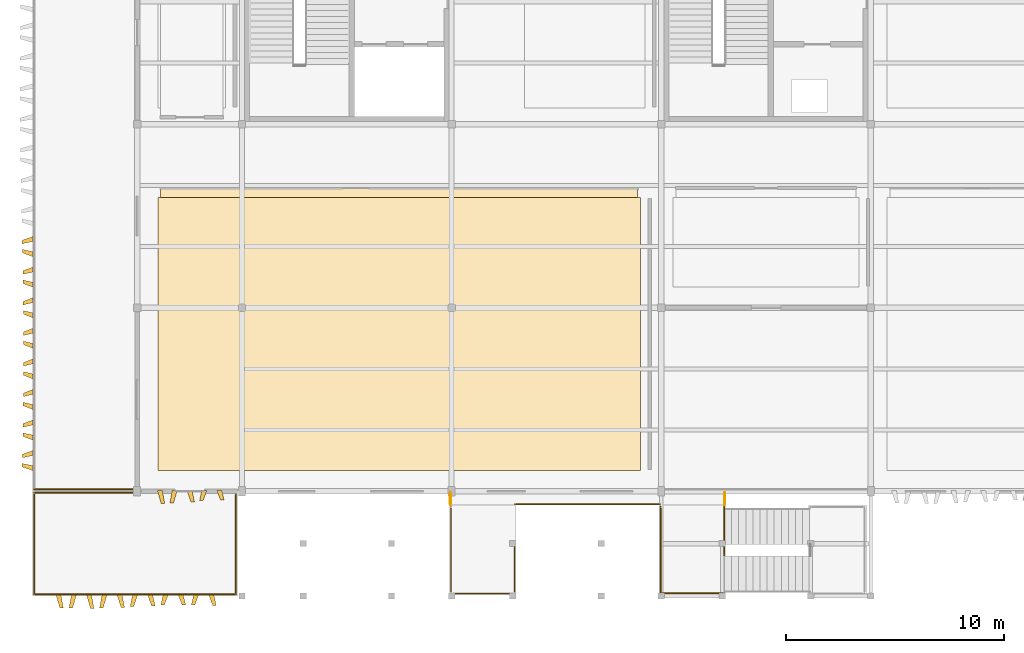
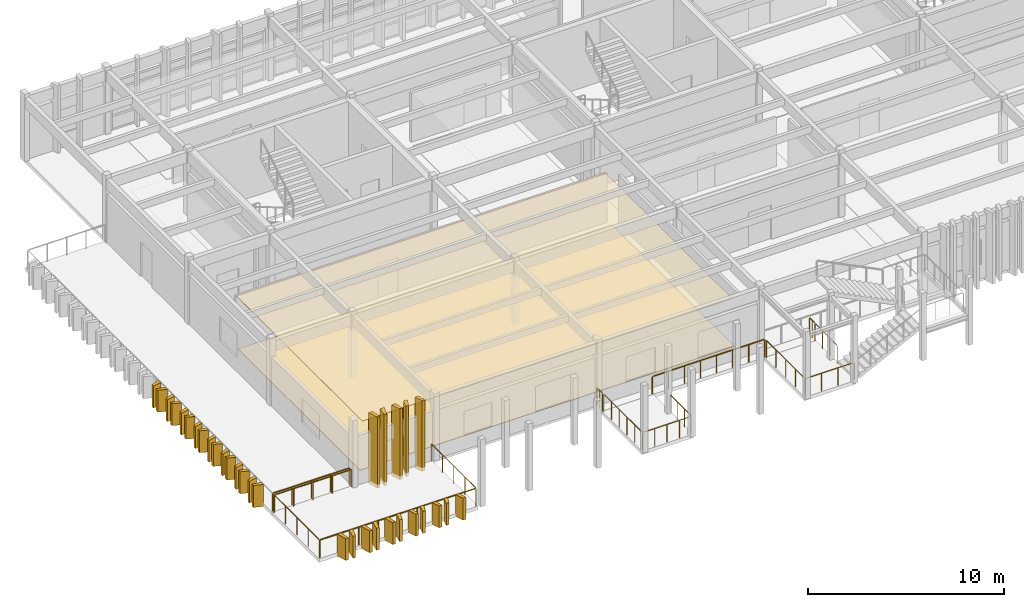
# One storey, part 11 of 14: 34 coverings, 11 railings.
"""IFC4 building model written with IfcOpenShell, lengths in metres."""

from ifc_helpers import new_model, si_unit, direction, frame, origin, origin_2d, place, context, subcontext, project, spatial, polyline, circle, outline, extrude, material, layer, layer_set, type_object, element, save


model = new_model("IFC4")

# Units and contexts
model_context = context("Model", 3, precision=1e-05, world=origin(), true_north=direction((0.0, 1.0)))
body_context = subcontext(model_context, "Body", "Model", "MODEL_VIEW")
ifc_project = project(units=[si_unit("LENGTHUNIT", "METRE"), si_unit("AREAUNIT", "SQUARE_METRE"), si_unit("VOLUMEUNIT", "CUBIC_METRE"), si_unit("PLANEANGLEUNIT", "RADIAN"), si_unit("MASSUNIT", "GRAM", prefix="KILO")], contexts=[model_context])

# Site, building, storey
site_placement = place(None, origin())
site = spatial("IfcSite", under=ifc_project, at=site_placement, CompositionType="ELEMENT")
building_placement = place(site_placement, origin())
building = spatial("IfcBuilding", under=site, at=building_placement, Name="Kolvemor Railside Polytechnic", CompositionType="ELEMENT")
storey_placement = place(building_placement, frame((0.0, 0.0, 22.800048828125)))
storey = spatial("IfcBuildingStorey", under=building, at=storey_placement, Name="L05", CompositionType="ELEMENT", Elevation=22.800048828125)

# Coverings
ifc_material_1 = material(Name="Perforated acoustic mineral-fibre and timber-slat ceiling", Category="wood")
ifc_layer_1 = layer(ifc_material_1, 0.034912109375, Name="COV-CEIL-3")
ifc_layer_set_1 = layer_set([ifc_layer_1], Name="Perforated acoustic mineral-fibre and timber-slat ceiling")
covering_type_1 = type_object("IfcCoveringType", Name="COV-CEIL-3", PredefinedType="CEILING", material=ifc_layer_set_1)
covering_1_placement = place(storey_placement, frame((0.0, 0.0, 3.014892578125)))
element("IfcCovering", 1, at=covering_1_placement, inside=storey, type_object=covering_type_1, Name="Senior Honours West Design Studio Acoustic Ceiling", PredefinedType="CEILING", context=body_context, shape_type="SweptSolid", body=[
    extrude(outline(polyline([(63.47998046875, 5.75), (85.320068359375, 5.75), (85.320068359375, 18.679931640625), (63.47998046875, 18.679931640625), (63.47998046875, 5.75)])), origin(), (0.0, 0.0, 1.0), 0.03515625),
])
ifc_material_2 = material(Name="Champagne-bronze PVDF-anodised marine aluminium 5052-H32", Category="aluminium")
ifc_layer_2 = layer(ifc_material_2, 0.179931640625, Name="COV-FIN-CHAMP")
ifc_layer_set_2 = layer_set([ifc_layer_2], Name="Champagne-bronze PVDF-anodised marine aluminium 5052-H32")
covering_type_2 = type_object("IfcCoveringType", Name="COV-FIN-CHAMP", PredefinedType="CLADDING", material=ifc_layer_set_2)
covering_2_placement = place(storey_placement, frame((0.0, 0.0, -0.22998046875)))
element("IfcCovering", 2, at=covering_2_placement, inside=storey, type_object=covering_type_2, Name="Pleated Solar Fin L05-0416", PredefinedType="CLADDING", context=body_context, shape_type="SweptSolid", body=[
    extrude(outline(polyline([(63.324951171875, 4.8349609375), (63.554931640625, 4.8349609375), (63.659912109375, 4.237060546875), (63.5, 4.237060546875), (63.324951171875, 4.8349609375)])), origin(), (0.0, 0.0, 1.0), 4.429931640625),
])
covering_3_placement = place(storey_placement, frame((0.0, 0.0, -0.22998046875)))
element("IfcCovering", 3, at=covering_3_placement, inside=storey, type_object=covering_type_2, Name="Pleated Solar Fin L05-0417", PredefinedType="CLADDING", context=body_context, shape_type="SweptSolid", body=[
    extrude(outline(polyline([(64.0048828125, 4.8349609375), (64.235107421875, 4.8349609375), (64.06005859375, 4.2529296875), (63.89990234375, 4.2529296875), (64.0048828125, 4.8349609375)])), origin(), (0.0, 0.0, 1.0), 4.429931640625),
])
covering_4_placement = place(storey_placement, frame((0.0, 0.0, -0.22998046875)))
element("IfcCovering", 4, at=covering_4_placement, inside=storey, type_object=covering_type_2, Name="Pleated Solar Fin L05-0418", PredefinedType="CLADDING", context=body_context, shape_type="SweptSolid", body=[
    extrude(outline(polyline([(64.68505859375, 4.8349609375), (64.9150390625, 4.8349609375), (65.02001953125, 4.31494140625), (64.860107421875, 4.31494140625), (64.68505859375, 4.8349609375)])), origin(), (0.0, 0.0, 1.0), 4.429931640625),
])
covering_5_placement = place(storey_placement, frame((0.0, 0.0, -0.22998046875)))
element("IfcCovering", 5, at=covering_5_placement, inside=storey, type_object=covering_type_2, Name="Pleated Solar Fin L05-0419", PredefinedType="CLADDING", context=body_context, shape_type="SweptSolid", body=[
    extrude(outline(polyline([(65.364990234375, 4.8349609375), (65.594970703125, 4.8349609375), (65.419921875, 4.376953125), (65.260009765625, 4.376953125), (65.364990234375, 4.8349609375)])), origin(), (0.0, 0.0, 1.0), 4.429931640625),
])
covering_6_placement = place(storey_placement, frame((0.0, 0.0, -0.22998046875)))
element("IfcCovering", 6, at=covering_6_placement, inside=storey, type_object=covering_type_2, Name="Pleated Solar Fin L05-0420", PredefinedType="CLADDING", context=body_context, shape_type="SweptSolid", body=[
    extrude(outline(polyline([(66.044921875, 4.8349609375), (66.27490234375, 4.8349609375), (66.3798828125, 4.39306640625), (66.219970703125, 4.39306640625), (66.044921875, 4.8349609375)])), origin(), (0.0, 0.0, 1.0), 4.429931640625),
])
covering_7_placement = place(storey_placement, frame((0.0, 0.0, -0.219970703125)))
element("IfcCovering", 7, at=covering_7_placement, inside=storey, type_object=covering_type_2, Name="Pleated Solar Fin L05-0898", PredefinedType="CLADDING", context=body_context, shape_type="SweptSolid", body=[
    extrude(outline(polyline([(57.635009765625, 16.465087890625), (57.635009765625, 16.235107421875), (57.135986328125, 16.1298828125), (57.135986328125, 16.2900390625), (57.635009765625, 16.465087890625)])), origin(), (0.0, 0.0, 1.0), 1.369873046875),
])
covering_8_placement = place(storey_placement, frame((0.0, 0.0, -0.219970703125)))
element("IfcCovering", 8, at=covering_8_placement, inside=storey, type_object=covering_type_2, Name="Pleated Solar Fin L05-0899", PredefinedType="CLADDING", context=body_context, shape_type="SweptSolid", body=[
    extrude(outline(polyline([(57.635009765625, 15.764892578125), (57.635009765625, 15.534912109375), (57.14892578125, 15.7099609375), (57.14892578125, 15.8701171875), (57.635009765625, 15.764892578125)])), origin(), (0.0, 0.0, 1.0), 1.369873046875),
])
covering_9_placement = place(storey_placement, frame((0.0, 0.0, -0.219970703125)))
element("IfcCovering", 9, at=covering_9_placement, inside=storey, type_object=covering_type_2, Name="Pleated Solar Fin L05-0900", PredefinedType="CLADDING", context=body_context, shape_type="SweptSolid", body=[
    extrude(outline(polyline([(57.635009765625, 15.06494140625), (57.635009765625, 14.8349609375), (57.160888671875, 14.72998046875), (57.160888671875, 14.889892578125), (57.635009765625, 15.06494140625)])), origin(), (0.0, 0.0, 1.0), 1.369873046875),
])
covering_10_placement = place(storey_placement, frame((0.0, 0.0, -0.219970703125)))
element("IfcCovering", 10, at=covering_10_placement, inside=storey, type_object=covering_type_2, Name="Pleated Solar Fin L05-0901", PredefinedType="CLADDING", context=body_context, shape_type="SweptSolid", body=[
    extrude(outline(polyline([(57.635009765625, 14.364990234375), (57.635009765625, 14.135009765625), (57.172119140625, 14.31005859375), (57.172119140625, 14.469970703125), (57.635009765625, 14.364990234375)])), origin(), (0.0, 0.0, 1.0), 1.369873046875),
])
covering_11_placement = place(storey_placement, frame((0.0, 0.0, -0.219970703125)))
element("IfcCovering", 11, at=covering_11_placement, inside=storey, type_object=covering_type_2, Name="Pleated Solar Fin L05-0902", PredefinedType="CLADDING", context=body_context, shape_type="SweptSolid", body=[
    extrude(outline(polyline([(57.635009765625, 13.6650390625), (57.635009765625, 13.43505859375), (57.180908203125, 13.330078125), (57.180908203125, 13.489990234375), (57.635009765625, 13.6650390625)])), origin(), (0.0, 0.0, 1.0), 1.369873046875),
])
covering_12_placement = place(storey_placement, frame((0.0, 0.0, -0.219970703125)))
element("IfcCovering", 12, at=covering_12_placement, inside=storey, type_object=covering_type_2, Name="Pleated Solar Fin L05-0903", PredefinedType="CLADDING", context=body_context, shape_type="SweptSolid", body=[
    extrude(outline(polyline([(57.635009765625, 12.965087890625), (57.635009765625, 12.735107421875), (57.18798828125, 12.909912109375), (57.18798828125, 13.070068359375), (57.635009765625, 12.965087890625)])), origin(), (0.0, 0.0, 1.0), 1.369873046875),
])
covering_13_placement = place(storey_placement, frame((0.0, 0.0, -0.219970703125)))
element("IfcCovering", 13, at=covering_13_placement, inside=storey, type_object=covering_type_2, Name="Pleated Solar Fin L05-0904", PredefinedType="CLADDING", context=body_context, shape_type="SweptSolid", body=[
    extrude(outline(polyline([(57.635009765625, 12.264892578125), (57.635009765625, 12.034912109375), (57.19189453125, 11.929931640625), (57.19189453125, 12.090087890625), (57.635009765625, 12.264892578125)])), origin(), (0.0, 0.0, 1.0), 1.369873046875),
])
covering_14_placement = place(storey_placement, frame((0.0, 0.0, -0.219970703125)))
element("IfcCovering", 14, at=covering_14_placement, inside=storey, type_object=covering_type_2, Name="Pleated Solar Fin L05-0905", PredefinedType="CLADDING", context=body_context, shape_type="SweptSolid", body=[
    extrude(outline(polyline([(57.635009765625, 11.56494140625), (57.635009765625, 11.3349609375), (57.195068359375, 11.510009765625), (57.195068359375, 11.669921875), (57.635009765625, 11.56494140625)])), origin(), (0.0, 0.0, 1.0), 1.369873046875),
])
covering_15_placement = place(storey_placement, frame((0.0, 0.0, -0.219970703125)))
element("IfcCovering", 15, at=covering_15_placement, inside=storey, type_object=covering_type_2, Name="Pleated Solar Fin L05-0906", PredefinedType="CLADDING", context=body_context, shape_type="SweptSolid", body=[
    extrude(outline(polyline([(57.635009765625, 10.864990234375), (57.635009765625, 10.635009765625), (57.195068359375, 10.530029296875), (57.195068359375, 10.68994140625), (57.635009765625, 10.864990234375)])), origin(), (0.0, 0.0, 1.0), 1.369873046875),
])
covering_16_placement = place(storey_placement, frame((0.0, 0.0, -0.219970703125)))
element("IfcCovering", 16, at=covering_16_placement, inside=storey, type_object=covering_type_2, Name="Pleated Solar Fin L05-0907", PredefinedType="CLADDING", context=body_context, shape_type="SweptSolid", body=[
    extrude(outline(polyline([(57.635009765625, 10.1650390625), (57.635009765625, 9.93505859375), (57.19189453125, 10.110107421875), (57.19189453125, 10.27001953125), (57.635009765625, 10.1650390625)])), origin(), (0.0, 0.0, 1.0), 1.369873046875),
])
covering_17_placement = place(storey_placement, frame((0.0, 0.0, -0.219970703125)))
element("IfcCovering", 17, at=covering_17_placement, inside=storey, type_object=covering_type_2, Name="Pleated Solar Fin L05-0908", PredefinedType="CLADDING", context=body_context, shape_type="SweptSolid", body=[
    extrude(outline(polyline([(57.635009765625, 9.465087890625), (57.635009765625, 9.235107421875), (57.18798828125, 9.1298828125), (57.18798828125, 9.2900390625), (57.635009765625, 9.465087890625)])), origin(), (0.0, 0.0, 1.0), 1.369873046875),
])
covering_18_placement = place(storey_placement, frame((0.0, 0.0, -0.219970703125)))
element("IfcCovering", 18, at=covering_18_placement, inside=storey, type_object=covering_type_2, Name="Pleated Solar Fin L05-0909", PredefinedType="CLADDING", context=body_context, shape_type="SweptSolid", body=[
    extrude(outline(polyline([(57.635009765625, 8.764892578125), (57.635009765625, 8.534912109375), (57.180908203125, 8.7099609375), (57.180908203125, 8.8701171875), (57.635009765625, 8.764892578125)])), origin(), (0.0, 0.0, 1.0), 1.369873046875),
])
covering_19_placement = place(storey_placement, frame((0.0, 0.0, -0.219970703125)))
element("IfcCovering", 19, at=covering_19_placement, inside=storey, type_object=covering_type_2, Name="Pleated Solar Fin L05-0910", PredefinedType="CLADDING", context=body_context, shape_type="SweptSolid", body=[
    extrude(outline(polyline([(57.635009765625, 8.06494140625), (57.635009765625, 7.8349609375), (57.172119140625, 7.72998046875), (57.172119140625, 7.889892578125), (57.635009765625, 8.06494140625)])), origin(), (0.0, 0.0, 1.0), 1.369873046875),
])
covering_20_placement = place(storey_placement, frame((0.0, 0.0, -0.219970703125)))
element("IfcCovering", 20, at=covering_20_placement, inside=storey, type_object=covering_type_2, Name="Pleated Solar Fin L05-0911", PredefinedType="CLADDING", context=body_context, shape_type="SweptSolid", body=[
    extrude(outline(polyline([(57.635009765625, 7.364990234375), (57.635009765625, 7.135009765625), (57.160888671875, 7.31005859375), (57.160888671875, 7.469970703125), (57.635009765625, 7.364990234375)])), origin(), (0.0, 0.0, 1.0), 1.369873046875),
])
covering_21_placement = place(storey_placement, frame((0.0, 0.0, -0.219970703125)))
element("IfcCovering", 21, at=covering_21_placement, inside=storey, type_object=covering_type_2, Name="Pleated Solar Fin L05-0912", PredefinedType="CLADDING", context=body_context, shape_type="SweptSolid", body=[
    extrude(outline(polyline([(57.635009765625, 6.6650390625), (57.635009765625, 6.43505859375), (57.14892578125, 6.330078125), (57.14892578125, 6.489990234375), (57.635009765625, 6.6650390625)])), origin(), (0.0, 0.0, 1.0), 1.369873046875),
])
covering_22_placement = place(storey_placement, frame((0.0, 0.0, -0.219970703125)))
element("IfcCovering", 22, at=covering_22_placement, inside=storey, type_object=covering_type_2, Name="Pleated Solar Fin L05-0913", PredefinedType="CLADDING", context=body_context, shape_type="SweptSolid", body=[
    extrude(outline(polyline([(57.635009765625, 5.965087890625), (57.635009765625, 5.735107421875), (57.135986328125, 5.909912109375), (57.135986328125, 6.070068359375), (57.635009765625, 5.965087890625)])), origin(), (0.0, 0.0, 1.0), 1.369873046875),
])
covering_23_placement = place(storey_placement, frame((0.0, 0.0, -0.219970703125)))
element("IfcCovering", 23, at=covering_23_placement, inside=storey, type_object=covering_type_2, Name="Pleated Solar Fin L05-0914", PredefinedType="CLADDING", context=body_context, shape_type="SweptSolid", body=[
    extrude(outline(polyline([(58.68505859375, 0.034912109375), (58.9150390625, 0.034912109375), (59.02001953125, -0.54296875), (58.860107421875, -0.54296875), (58.68505859375, 0.034912109375)])), origin(), (0.0, 0.0, 1.0), 1.369873046875),
])
covering_24_placement = place(storey_placement, frame((0.0, 0.0, -0.219970703125)))
element("IfcCovering", 24, at=covering_24_placement, inside=storey, type_object=covering_type_2, Name="Pleated Solar Fin L05-0915", PredefinedType="CLADDING", context=body_context, shape_type="SweptSolid", body=[
    extrude(outline(polyline([(59.385009765625, 0.034912109375), (59.614990234375, 0.034912109375), (59.43994140625, -0.56103515625), (59.280029296875, -0.56103515625), (59.385009765625, 0.034912109375)])), origin(), (0.0, 0.0, 1.0), 1.369873046875),
])
covering_25_placement = place(storey_placement, frame((0.0, 0.0, -0.219970703125)))
element("IfcCovering", 25, at=covering_25_placement, inside=storey, type_object=covering_type_2, Name="Pleated Solar Fin L05-0916", PredefinedType="CLADDING", context=body_context, shape_type="SweptSolid", body=[
    extrude(outline(polyline([(60.0849609375, 0.034912109375), (60.31494140625, 0.034912109375), (60.419921875, -0.56396484375), (60.260009765625, -0.56396484375), (60.0849609375, 0.034912109375)])), origin(), (0.0, 0.0, 1.0), 1.369873046875),
])
covering_26_placement = place(storey_placement, frame((0.0, 0.0, -0.219970703125)))
element("IfcCovering", 26, at=covering_26_placement, inside=storey, type_object=covering_type_2, Name="Pleated Solar Fin L05-0917", PredefinedType="CLADDING", context=body_context, shape_type="SweptSolid", body=[
    extrude(outline(polyline([(60.784912109375, 0.034912109375), (61.014892578125, 0.034912109375), (60.840087890625, -0.549072265625), (60.679931640625, -0.549072265625), (60.784912109375, 0.034912109375)])), origin(), (0.0, 0.0, 1.0), 1.369873046875),
])
covering_27_placement = place(storey_placement, frame((0.0, 0.0, -0.219970703125)))
element("IfcCovering", 27, at=covering_27_placement, inside=storey, type_object=covering_type_2, Name="Pleated Solar Fin L05-0918", PredefinedType="CLADDING", context=body_context, shape_type="SweptSolid", body=[
    extrude(outline(polyline([(61.485107421875, 0.034912109375), (61.715087890625, 0.034912109375), (61.820068359375, -0.52099609375), (61.659912109375, -0.52099609375), (61.485107421875, 0.034912109375)])), origin(), (0.0, 0.0, 1.0), 1.369873046875),
])
covering_28_placement = place(storey_placement, frame((0.0, 0.0, -0.219970703125)))
element("IfcCovering", 28, at=covering_28_placement, inside=storey, type_object=covering_type_2, Name="Pleated Solar Fin L05-0919", PredefinedType="CLADDING", context=body_context, shape_type="SweptSolid", body=[
    extrude(outline(polyline([(62.18505859375, 0.034912109375), (62.4150390625, 0.034912109375), (62.239990234375, -0.485107421875), (62.080078125, -0.485107421875), (62.18505859375, 0.034912109375)])), origin(), (0.0, 0.0, 1.0), 1.369873046875),
])
covering_29_placement = place(storey_placement, frame((0.0, 0.0, -0.219970703125)))
element("IfcCovering", 29, at=covering_29_placement, inside=storey, type_object=covering_type_2, Name="Pleated Solar Fin L05-0920", PredefinedType="CLADDING", context=body_context, shape_type="SweptSolid", body=[
    extrude(outline(polyline([(62.885009765625, 0.034912109375), (63.114990234375, 0.034912109375), (63.219970703125, -0.448974609375), (63.06005859375, -0.448974609375), (62.885009765625, 0.034912109375)])), origin(), (0.0, 0.0, 1.0), 1.369873046875),
])
covering_30_placement = place(storey_placement, frame((0.0, 0.0, -0.219970703125)))
element("IfcCovering", 30, at=covering_30_placement, inside=storey, type_object=covering_type_2, Name="Pleated Solar Fin L05-0921", PredefinedType="CLADDING", context=body_context, shape_type="SweptSolid", body=[
    extrude(outline(polyline([(63.5849609375, 0.034912109375), (63.81494140625, 0.034912109375), (63.639892578125, -0.4208984375), (63.47998046875, -0.4208984375), (63.5849609375, 0.034912109375)])), origin(), (0.0, 0.0, 1.0), 1.369873046875),
])
covering_31_placement = place(storey_placement, frame((0.0, 0.0, -0.219970703125)))
element("IfcCovering", 31, at=covering_31_placement, inside=storey, type_object=covering_type_2, Name="Pleated Solar Fin L05-0922", PredefinedType="CLADDING", context=body_context, shape_type="SweptSolid", body=[
    extrude(outline(polyline([(64.284912109375, 0.034912109375), (64.514892578125, 0.034912109375), (64.6201171875, -0.406005859375), (64.4599609375, -0.406005859375), (64.284912109375, 0.034912109375)])), origin(), (0.0, 0.0, 1.0), 1.369873046875),
])
covering_32_placement = place(storey_placement, frame((0.0, 0.0, -0.219970703125)))
element("IfcCovering", 32, at=covering_32_placement, inside=storey, type_object=covering_type_2, Name="Pleated Solar Fin L05-0923", PredefinedType="CLADDING", context=body_context, shape_type="SweptSolid", body=[
    extrude(outline(polyline([(64.985107421875, 0.034912109375), (65.215087890625, 0.034912109375), (65.0400390625, -0.408935546875), (64.8798828125, -0.408935546875), (64.985107421875, 0.034912109375)])), origin(), (0.0, 0.0, 1.0), 1.369873046875),
])
covering_33_placement = place(storey_placement, frame((0.0, 0.0, -0.219970703125)))
element("IfcCovering", 33, at=covering_33_placement, inside=storey, type_object=covering_type_2, Name="Pleated Solar Fin L05-0924", PredefinedType="CLADDING", context=body_context, shape_type="SweptSolid", body=[
    extrude(outline(polyline([(65.68505859375, 0.034912109375), (65.9150390625, 0.034912109375), (66.02001953125, -0.427001953125), (65.860107421875, -0.427001953125), (65.68505859375, 0.034912109375)])), origin(), (0.0, 0.0, 1.0), 1.369873046875),
])
ifc_material_3 = material(Name="Polished coral-aggregate terrazzo and laboratory epoxy flooring")
ifc_layer_3 = layer(ifc_material_3, 0.030029296875, Name="COV-FLR-3")
ifc_layer_set_3 = layer_set([ifc_layer_3], Name="Polished coral-aggregate terrazzo and laboratory epoxy flooring")
covering_type_3 = type_object("IfcCoveringType", Name="COV-FLR-3", PredefinedType="FLOORING", material=ifc_layer_set_3)
covering_34_placement = place(storey_placement, origin())
element("IfcCovering", 34, at=covering_34_placement, inside=storey, type_object=covering_type_3, Name="Senior Honours West Design Studio Floor Finish", PredefinedType="FLOORING", context=body_context, shape_type="SweptSolid", body=[
    extrude(outline(polyline([(63.35009765625, 5.75), (85.449951171875, 5.75), (85.449951171875, 18.25), (63.35009765625, 18.25), (63.35009765625, 5.75)])), origin(), (0.0, 0.0, 1.0), 0.030029296875),
])

# Railings
ifc_material_4 = material(Name="AISI 316 marine stainless-steel balustrade guard", Category="steel")
railing_type = type_object("IfcRailingType", Name="RLG-GUARD-1120", PredefinedType="BALUSTRADE", material=ifc_material_4)
railing_1_placement = place(storey_placement, frame((57.679931640625, 4.8798828125, 0.0)))
element("IfcRailing", 35, at=railing_1_placement, inside=storey, type_object=railing_type, Name="Shifted West Cantilever Terrace L05 S Guard GR-031", PredefinedType="BALUSTRADE", context=body_context, shape_type="SweptSolid", body=[
    extrude(circle(Radius=0.02392578125, at=origin_2d()), frame((0.054931640625, 0.0, 1.09619140625), z_axis=(1.0, 0.0, 0.0), x_axis=(0.0, 1.0, 0.0)), (0.0, 0.0, 1.0), 4.469970703125),
    extrude(circle(Radius=0.02099609375, at=origin_2d()), origin(), (0.0, 0.0, 1.0), 1.05712890625),
    extrude(circle(Radius=0.02099609375, at=origin_2d()), frame((1.14501953125, 0.0, 0.0)), (0.0, 0.0, 1.0), 1.05712890625),
    extrude(circle(Radius=0.02099609375, at=origin_2d()), frame((2.2900390625, 0.0, 0.0)), (0.0, 0.0, 1.0), 1.05712890625),
    extrude(circle(Radius=0.02099609375, at=origin_2d()), frame((3.43505859375, 0.0, 0.0)), (0.0, 0.0, 1.0), 1.05712890625),
    extrude(circle(Radius=0.02099609375, at=origin_2d()), frame((4.580078125, 0.0, 0.0)), (0.0, 0.0, 1.0), 1.05712890625),
])
railing_2_placement = place(storey_placement, frame((57.679931640625, 0.080078125, 0.0)))
element("IfcRailing", 36, at=railing_2_placement, inside=storey, type_object=railing_type, Name="Shifted South-West Terrace L05 S Guard GR-034", PredefinedType="BALUSTRADE", context=body_context, shape_type="SweptSolid", body=[
    extrude(circle(Radius=0.02392578125, at=origin_2d()), frame((0.054931640625, 0.0, 1.09619140625), z_axis=(1.0, 0.0, 0.0), x_axis=(0.0, 1.0, 0.0)), (0.0, 0.0, 1.0), 9.1298828125),
    extrude(circle(Radius=0.02099609375, at=origin_2d()), origin(), (0.0, 0.0, 1.0), 1.05712890625),
    extrude(circle(Radius=0.02099609375, at=origin_2d()), frame((1.155029296875, 0.0, 0.0)), (0.0, 0.0, 1.0), 1.05712890625),
    extrude(circle(Radius=0.02099609375, at=origin_2d()), frame((2.31005859375, 0.0, 0.0)), (0.0, 0.0, 1.0), 1.05712890625),
    extrude(circle(Radius=0.02099609375, at=origin_2d()), frame((3.465087890625, 0.0, 0.0)), (0.0, 0.0, 1.0), 1.05712890625),
    extrude(circle(Radius=0.02099609375, at=origin_2d()), frame((4.6201171875, 0.0, 0.0)), (0.0, 0.0, 1.0), 1.05712890625),
    extrude(circle(Radius=0.02099609375, at=origin_2d()), frame((5.77490234375, 0.0, 0.0)), (0.0, 0.0, 1.0), 1.05712890625),
    extrude(circle(Radius=0.02099609375, at=origin_2d()), frame((6.929931640625, 0.0, 0.0)), (0.0, 0.0, 1.0), 1.05712890625),
    extrude(circle(Radius=0.02099609375, at=origin_2d()), frame((8.0849609375, 0.0, 0.0)), (0.0, 0.0, 1.0), 1.05712890625),
    extrude(circle(Radius=0.02099609375, at=origin_2d()), frame((9.239990234375, 0.0, 0.0)), (0.0, 0.0, 1.0), 1.05712890625),
])
railing_3_placement = place(storey_placement, frame((66.919921875, 0.080078125, 0.0)))
element("IfcRailing", 37, at=railing_3_placement, inside=storey, type_object=railing_type, Name="Shifted South-West Terrace L05 E Guard GR-035", PredefinedType="BALUSTRADE", context=body_context, shape_type="SweptSolid", body=[
    extrude(circle(Radius=0.02392578125, at=origin_2d()), frame((0.0, 0.054931640625, 1.09619140625), z_axis=(0.0, 1.0, 0.0), x_axis=(-1.0, 0.0, 0.0)), (0.0, 0.0, 1.0), 4.4697265625),
    extrude(circle(Radius=0.02099609375, at=origin_2d()), origin(), (0.0, 0.0, 1.0), 1.05712890625),
    extrude(circle(Radius=0.02099609375, at=origin_2d()), frame((0.0, 1.14501953125, 0.0)), (0.0, 0.0, 1.0), 1.05712890625),
    extrude(circle(Radius=0.02099609375, at=origin_2d()), frame((0.0, 2.2900390625, 0.0)), (0.0, 0.0, 1.0), 1.05712890625),
    extrude(circle(Radius=0.02099609375, at=origin_2d()), frame((0.0, 3.434814453125, 0.0)), (0.0, 0.0, 1.0), 1.05712890625),
    extrude(circle(Radius=0.02099609375, at=origin_2d()), frame((0.0, 4.579833984375, 0.0)), (0.0, 0.0, 1.0), 1.05712890625),
])
railing_4_placement = place(storey_placement, frame((62.260009765625, 4.719970703125, 0.0)))
element("IfcRailing", 38, at=railing_4_placement, inside=storey, type_object=railing_type, Name="Shifted South-West Terrace L05 N Guard GR-036", PredefinedType="BALUSTRADE", context=body_context, shape_type="SweptSolid", body=[
    extrude(circle(Radius=0.02392578125, at=origin_2d()), frame((-0.054931640625, 0.0, 1.09619140625), z_axis=(-1.0, 0.0, 0.0), x_axis=(0.0, -1.0, 0.0)), (0.0, 0.0, 1.0), 4.469970703125),
    extrude(circle(Radius=0.02099609375, at=origin_2d()), origin(), (0.0, 0.0, 1.0), 1.05712890625),
    extrude(circle(Radius=0.02099609375, at=origin_2d()), frame((-1.14501953125, 0.0, 0.0)), (0.0, 0.0, 1.0), 1.05712890625),
    extrude(circle(Radius=0.02099609375, at=origin_2d()), frame((-2.2900390625, 0.0, 0.0)), (0.0, 0.0, 1.0), 1.05712890625),
    extrude(circle(Radius=0.02099609375, at=origin_2d()), frame((-3.43505859375, 0.0, 0.0)), (0.0, 0.0, 1.0), 1.05712890625),
    extrude(circle(Radius=0.02099609375, at=origin_2d()), frame((-4.580078125, 0.0, 0.0)), (0.0, 0.0, 1.0), 1.05712890625),
])
railing_5_placement = place(storey_placement, frame((57.679931640625, 4.719970703125, 0.0)))
element("IfcRailing", 39, at=railing_5_placement, inside=storey, type_object=railing_type, Name="Shifted South-West Terrace L05 W Guard GR-037", PredefinedType="BALUSTRADE", context=body_context, shape_type="SweptSolid", body=[
    extrude(circle(Radius=0.02392578125, at=origin_2d()), frame((0.0, -0.054931640625, 1.09619140625), z_axis=(0.0, -1.0, 0.0), x_axis=(1.0, 0.0, 0.0)), (0.0, 0.0, 1.0), 4.52978515625),
    extrude(circle(Radius=0.02099609375, at=origin_2d()), origin(), (0.0, 0.0, 1.0), 1.05712890625),
    extrude(circle(Radius=0.02099609375, at=origin_2d()), frame((0.0, -1.159912109375, 0.0)), (0.0, 0.0, 1.0), 1.05712890625),
    extrude(circle(Radius=0.02099609375, at=origin_2d()), frame((0.0, -2.31982421875, 0.0)), (0.0, 0.0, 1.0), 1.05712890625),
    extrude(circle(Radius=0.02099609375, at=origin_2d()), frame((0.0, -3.47998046875, 0.0)), (0.0, 0.0, 1.0), 1.05712890625),
    extrude(circle(Radius=0.02099609375, at=origin_2d()), frame((0.0, -4.639892578125, 0.0)), (0.0, 0.0, 1.0), 1.05712890625),
])
railing_6_placement = place(storey_placement, frame((89.280029296875, 0.1201171875, 0.0)))
element("IfcRailing", 40, at=railing_6_placement, inside=storey, type_object=railing_type, Name="ST-EXT Departure Landing Guard L05", PredefinedType="BALUSTRADE", context=body_context, shape_type="SweptSolid", body=[
    extrude(circle(Radius=0.02392578125, at=origin_2d()), frame((-0.054931640625, 0.0, 1.09619140625), z_axis=(-1.0, 0.0, 0.0), x_axis=(0.0, -1.0, 0.0)), (0.0, 0.0, 1.0), 2.7998046875),
    extrude(circle(Radius=0.02392578125, at=origin_2d()), frame((-2.909912109375, 0.054931640625, 1.09619140625), z_axis=(0.0, 1.0, 0.0), x_axis=(-1.0, 0.0, 0.0)), (0.0, 0.0, 1.0), 3.849853515625),
    extrude(circle(Radius=0.02099609375, at=origin_2d()), origin(), (0.0, 0.0, 1.0), 1.05712890625),
    extrude(circle(Radius=0.02099609375, at=origin_2d()), frame((-0.969970703125, 0.0, 0.0)), (0.0, 0.0, 1.0), 1.05712890625),
    extrude(circle(Radius=0.02099609375, at=origin_2d()), frame((-1.93994140625, 0.0, 0.0)), (0.0, 0.0, 1.0), 1.05712890625),
    extrude(circle(Radius=0.02099609375, at=origin_2d()), frame((-2.909912109375, 0.0, 0.0)), (0.0, 0.0, 1.0), 1.05712890625),
    extrude(circle(Radius=0.02099609375, at=origin_2d()), frame((-2.909912109375, 0.989990234375, 0.0)), (0.0, 0.0, 1.0), 1.05712890625),
    extrude(circle(Radius=0.02099609375, at=origin_2d()), frame((-2.909912109375, 1.97998046875, 0.0)), (0.0, 0.0, 1.0), 1.05712890625),
    extrude(circle(Radius=0.02099609375, at=origin_2d()), frame((-2.909912109375, 2.969970703125, 0.0)), (0.0, 0.0, 1.0), 1.05712890625),
    extrude(circle(Radius=0.02099609375, at=origin_2d()), frame((-2.909912109375, 3.9599609375, 0.0)), (0.0, 0.0, 1.0), 1.05712890625),
])
railing_7_placement = place(storey_placement, frame((89.280029296875, 1.860107421875, 0.0)))
element("IfcRailing", 41, at=railing_7_placement, inside=storey, type_object=railing_type, Name="ST-EXT Departure Landing East Guard L05", PredefinedType="BALUSTRADE", context=body_context, shape_type="SweptSolid", body=[
    extrude(circle(Radius=0.02392578125, at=origin_2d()), frame((0.0, 0.054931640625, 1.09619140625), z_axis=(0.0, 1.0, 0.0), x_axis=(-1.0, 0.0, 0.0)), (0.0, 0.0, 1.0), 2.169677734375),
    extrude(circle(Radius=0.02099609375, at=origin_2d()), origin(), (0.0, 0.0, 1.0), 1.05712890625),
    extrude(circle(Radius=0.02099609375, at=origin_2d()), frame((0.0, 0.760009765625, 0.0)), (0.0, 0.0, 1.0), 1.05712890625),
    extrude(circle(Radius=0.02099609375, at=origin_2d()), frame((0.0, 1.519775390625, 0.0)), (0.0, 0.0, 1.0), 1.05712890625),
    extrude(circle(Radius=0.02099609375, at=origin_2d()), frame((0.0, 2.27978515625, 0.0)), (0.0, 0.0, 1.0), 1.05712890625),
])
railing_8_placement = place(storey_placement, frame((79.7099609375, 4.199951171875, 0.0)))
element("IfcRailing", 42, at=railing_8_placement, inside=storey, type_object=railing_type, Name="ST-EXT Rear Gallery South Guard L05-1", PredefinedType="BALUSTRADE", context=body_context, shape_type="SweptSolid", body=[
    extrude(circle(Radius=0.02392578125, at=origin_2d()), frame((0.054931640625, 0.0, 1.09619140625), z_axis=(1.0, 0.0, 0.0), x_axis=(0.0, 1.0, 0.0)), (0.0, 0.0, 1.0), 6.52001953125),
    extrude(circle(Radius=0.02099609375, at=origin_2d()), origin(), (0.0, 0.0, 1.0), 1.05712890625),
    extrude(circle(Radius=0.02099609375, at=origin_2d()), frame((0.947265625, 0.0, 0.0)), (0.0, 0.0, 1.0), 1.05712890625),
    extrude(circle(Radius=0.02099609375, at=origin_2d()), frame((1.894287109375, 0.0, 0.0)), (0.0, 0.0, 1.0), 1.05712890625),
    extrude(circle(Radius=0.02099609375, at=origin_2d()), frame((2.841552734375, 0.0, 0.0)), (0.0, 0.0, 1.0), 1.05712890625),
    extrude(circle(Radius=0.02099609375, at=origin_2d()), frame((3.78857421875, 0.0, 0.0)), (0.0, 0.0, 1.0), 1.05712890625),
    extrude(circle(Radius=0.02099609375, at=origin_2d()), frame((4.73583984375, 0.0, 0.0)), (0.0, 0.0, 1.0), 1.05712890625),
    extrude(circle(Radius=0.02099609375, at=origin_2d()), frame((5.682861328125, 0.0, 0.0)), (0.0, 0.0, 1.0), 1.05712890625),
    extrude(circle(Radius=0.02099609375, at=origin_2d()), frame((6.630126953125, 0.0, 0.0)), (0.0, 0.0, 1.0), 1.05712890625),
])
for number, where, name in (
    (43, (76.75, 4.179931640625, 0.0), "ST-EXT Rear Gallery West End Guard L05-1"),
    (44, (89.300048828125, 4.179931640625, 0.0), "ST-EXT Rear Gallery East End Guard L05-1"),
):
    element("IfcRailing", number, at=place(storey_placement, frame(where)), inside=storey, type_object=railing_type, Name=name, PredefinedType="BALUSTRADE", context=body_context, shape_type="SweptSolid", body=[
        extrude(circle(Radius=0.02392578125, at=origin_2d()), frame((0.0, 0.054931640625, 1.09619140625), z_axis=(0.0, 1.0, 0.0), x_axis=(-1.0, 0.0, 0.0)), (0.0, 0.0, 1.0), 0.449951171875),
        extrude(circle(Radius=0.02099609375, at=origin_2d()), origin(), (0.0, 0.0, 1.0), 1.05712890625),
        extrude(circle(Radius=0.02099609375, at=origin_2d()), frame((0.0, 0.280029296875, 0.0)), (0.0, 0.0, 1.0), 1.05712890625),
        extrude(circle(Radius=0.02099609375, at=origin_2d()), frame((0.0, 0.56005859375, 0.0)), (0.0, 0.0, 1.0), 1.05712890625),
    ])
railing_9_placement = place(storey_placement, frame((79.679931640625, 2.340087890625, 0.0)))
element("IfcRailing", 45, at=railing_9_placement, inside=storey, type_object=railing_type, Name="ST-EXT Arrival Landing Perimeter Guard L05", PredefinedType="BALUSTRADE", context=body_context, shape_type="SweptSolid", body=[
    extrude(circle(Radius=0.02392578125, at=origin_2d()), frame((0.0, -0.054931640625, 1.09619140625), z_axis=(0.0, -1.0, 0.0), x_axis=(1.0, 0.0, 0.0)), (0.0, 0.0, 1.0), 2.10986328125),
    extrude(circle(Radius=0.02392578125, at=origin_2d()), frame((-0.054931640625, -2.219970703125, 1.09619140625), z_axis=(-1.0, 0.0, 0.0), x_axis=(0.0, -1.0, 0.0)), (0.0, 0.0, 1.0), 2.7998046875),
    extrude(circle(Radius=0.02392578125, at=origin_2d()), frame((-2.909912109375, -2.1650390625, 1.09619140625), z_axis=(0.0, 1.0, 0.0), x_axis=(-1.0, 0.0, 0.0)), (0.0, 0.0, 1.0), 3.849853515625),
    extrude(circle(Radius=0.02099609375, at=origin_2d()), origin(), (0.0, 0.0, 1.0), 1.05712890625),
    extrude(circle(Radius=0.02099609375, at=origin_2d()), frame((0.0, -0.739990234375, 0.0)), (0.0, 0.0, 1.0), 1.05712890625),
    extrude(circle(Radius=0.02099609375, at=origin_2d()), frame((0.0, -1.47998046875, 0.0)), (0.0, 0.0, 1.0), 1.05712890625),
    extrude(circle(Radius=0.02099609375, at=origin_2d()), frame((0.0, -2.219970703125, 0.0)), (0.0, 0.0, 1.0), 1.05712890625),
    extrude(circle(Radius=0.02099609375, at=origin_2d()), frame((-0.7275390625, -2.219970703125, 0.0)), (0.0, 0.0, 1.0), 1.05712890625),
    extrude(circle(Radius=0.02099609375, at=origin_2d()), frame((-1.455078125, -2.219970703125, 0.0)), (0.0, 0.0, 1.0), 1.05712890625),
    extrude(circle(Radius=0.02099609375, at=origin_2d()), frame((-2.182373046875, -2.219970703125, 0.0)), (0.0, 0.0, 1.0), 1.05712890625),
    extrude(circle(Radius=0.02099609375, at=origin_2d()), frame((-2.909912109375, -2.219970703125, 0.0)), (0.0, 0.0, 1.0), 1.05712890625),
    extrude(circle(Radius=0.02099609375, at=origin_2d()), frame((-2.909912109375, -1.427978515625, 0.0)), (0.0, 0.0, 1.0), 1.05712890625),
    extrude(circle(Radius=0.02099609375, at=origin_2d()), frame((-2.909912109375, -0.635986328125, 0.0)), (0.0, 0.0, 1.0), 1.05712890625),
    extrude(circle(Radius=0.02099609375, at=origin_2d()), frame((-2.909912109375, 0.156005859375, 0.0)), (0.0, 0.0, 1.0), 1.05712890625),
    extrude(circle(Radius=0.02099609375, at=origin_2d()), frame((-2.909912109375, 0.947998046875, 0.0)), (0.0, 0.0, 1.0), 1.05712890625),
    extrude(circle(Radius=0.02099609375, at=origin_2d()), frame((-2.909912109375, 1.739990234375, 0.0)), (0.0, 0.0, 1.0), 1.05712890625),
])

save(model, "model.ifc")
